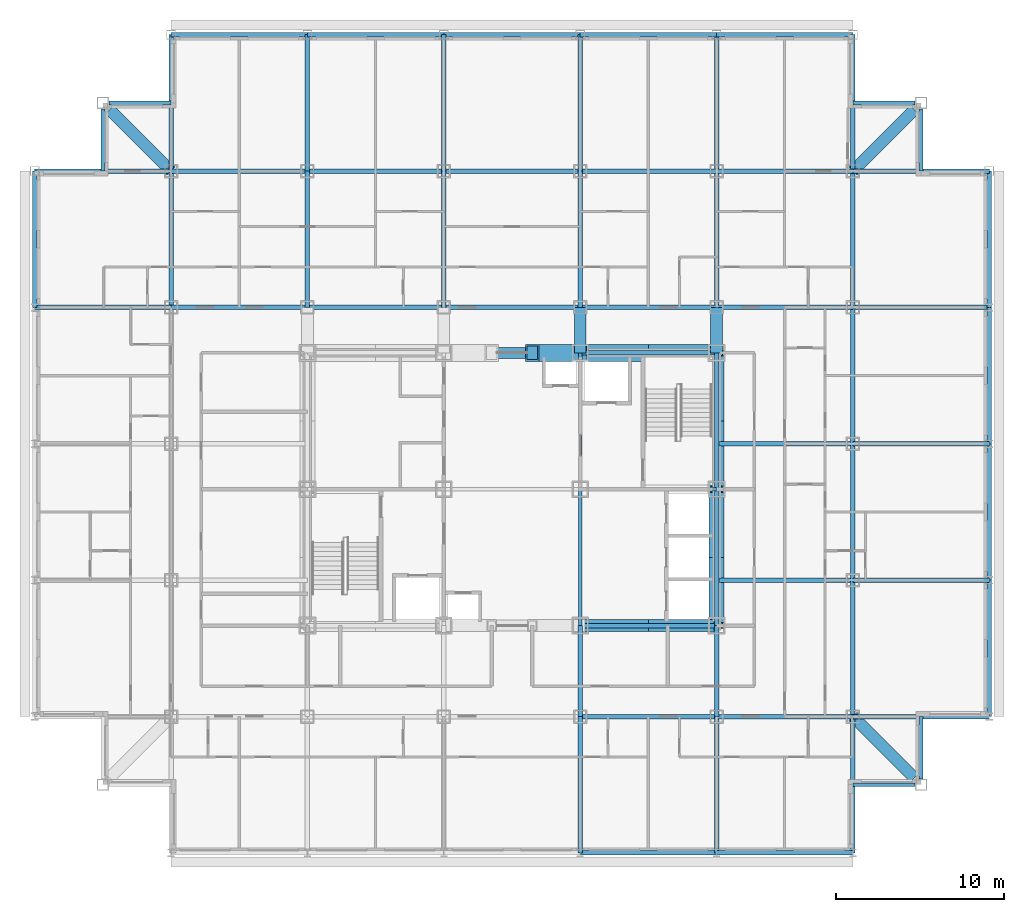
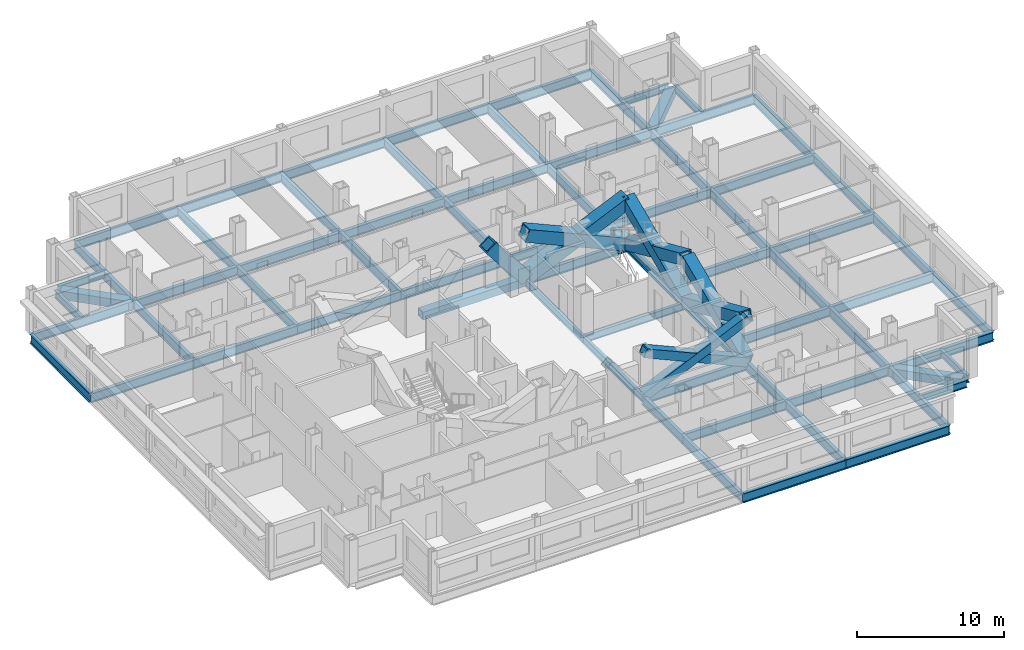
# One storey, part 2 of 12: 72 beams, 9 members.
"""IFC4 building model written with IfcOpenShell, lengths in metres."""

from ifc_helpers import new_model, si_unit, direction, frame, origin, origin_2d, place, context, subcontext, project, spatial, hollow_rectangle, i_section, extrude, material, material_profile, profile_set, type_object, element, save


model = new_model("IFC4")

# Units and contexts
model_context = context("Model", 3, precision=1e-05, world=origin(), true_north=direction((0.0, 1.0)))
body_context = subcontext(model_context, "Body", "Model", "MODEL_VIEW")
ifc_project = project(units=[si_unit("LENGTHUNIT", "METRE"), si_unit("AREAUNIT", "SQUARE_METRE"), si_unit("VOLUMEUNIT", "CUBIC_METRE"), si_unit("PLANEANGLEUNIT", "RADIAN"), si_unit("MASSUNIT", "GRAM", prefix="KILO")], contexts=[model_context])

# Site, building, storey
site_placement = place(None, origin())
site = spatial("IfcSite", under=ifc_project, at=site_placement, CompositionType="ELEMENT")
building_placement = place(site_placement, origin())
building = spatial("IfcBuilding", under=site, at=building_placement, Name="Kopane Lantern Tower", CompositionType="ELEMENT")
storey_placement = place(building_placement, frame((0.0, 0.0, 228.0)))
storey = spatial("IfcBuildingStorey", under=building, at=storey_placement, Name="L59", CompositionType="ELEMENT", Elevation=228.0)

# Members
ifc_material_1 = material(Name="Steel S355JR", Category="steel")
ifc_material_profile_1 = material_profile(ifc_material_1, hollow_rectangle(XDim=1.0, YDim=1.0, WallThickness=0.10009765625, at=origin_2d()), Name="BOX 1000x1000x100")
ifc_profile_set_1 = profile_set([ifc_material_profile_1], Name="Steel S355JR")
member_type_1 = type_object("IfcMemberType", Name="BRACE BOX 1000x1000x100", PredefinedType="BRACE", material=ifc_profile_set_1)
member_placement = place(storey_placement, frame((32.39990234375, 40.5, -0.2099609375), z_axis=(-0.620698858423, 0.0, 0.784049059149), x_axis=(0.0, -1.0, 0.0)))
element("IfcMember", 1, at=member_placement, inside=storey, type_object=member_type_1, Name="Core brace L59", PredefinedType="BRACE", context=body_context, shape_type="SweptSolid", body=[
    extrude(hollow_rectangle(XDim=1.0, YDim=1.0, WallThickness=0.10009765625, at=origin_2d()), origin(), (0.0, 0.0, 1.0), 4.59130859375),
])
for number, where, z_axis, x_axis, name in (
    (2, (32.39990234375, 40.5, -0.2099609375), (0.913819498983, 0.0, 0.406120577265), (0.0, 1.0, 0.0), "Core brace L59"),
    (3, (40.5, 40.5, -0.2099609375), (-0.913819498983, 0.0, 0.406120577265), (0.0, -1.0, 0.0), "Core brace L59"),
):
    element("IfcMember", number, at=place(storey_placement, frame(where, z_axis=z_axis, x_axis=x_axis)), inside=storey, type_object=member_type_1, Name=name, PredefinedType="BRACE", context=body_context, shape_type="SweptSolid", body=[
        extrude(hollow_rectangle(XDim=1.0, YDim=1.0, WallThickness=0.10009765625, at=origin_2d()), origin(), (0.0, 0.0, 1.0), 8.864013671875),
    ])
ifc_material_2 = material(Name="Steel S355JR", Category="steel")
ifc_material_profile_2 = material_profile(ifc_material_2, hollow_rectangle(XDim=0.699951171875, YDim=0.699951171875, WallThickness=0.06005859375, at=origin_2d()), Name="BOX 700x700x60")
ifc_profile_set_2 = profile_set([ifc_material_profile_2], Name="Steel S355JR")
member_type_2 = type_object("IfcMemberType", Name="BRACE BOX 700x700x60", PredefinedType="BRACE", material=ifc_profile_set_2)
for number, where, z_axis, x_axis, name in (
    (4, (32.39990234375, 24.300048828125, -0.2099609375), (0.913819498983, 0.0, 0.406120577265), (0.0, 1.0, 0.0), "Core brace L59"),
    (5, (40.5, 24.300048828125, -0.2099609375), (-0.913819498983, 0.0, 0.406120577265), (0.0, -1.0, 0.0), "Core brace L59"),
):
    element("IfcMember", number, at=place(storey_placement, frame(where, z_axis=z_axis, x_axis=x_axis)), inside=storey, type_object=member_type_2, Name=name, PredefinedType="BRACE", context=body_context, shape_type="SweptSolid", body=[
        extrude(hollow_rectangle(XDim=0.699951171875, YDim=0.699951171875, WallThickness=0.06005859375, at=origin_2d()), origin(), (0.0, 0.0, 1.0), 8.864013671875),
    ])
ifc_material_3 = material(Name="Steel S355JR", Category="steel")
ifc_material_profile_3 = material_profile(ifc_material_3, hollow_rectangle(XDim=0.89990234375, YDim=0.89990234375, WallThickness=0.090087890625, at=origin_2d()), Name="BOX 900x900x90")
ifc_profile_set_3 = profile_set([ifc_material_profile_3], Name="Steel S355JR")
member_type_3 = type_object("IfcMemberType", Name="BRACE BOX 900x900x90", PredefinedType="BRACE", material=ifc_profile_set_3)
for number, where, z_axis, x_axis, name in (
    (6, (40.5, 24.300048828125, -0.2099609375), (0.0, 0.913814956047, 0.406130799256), (-1.0, 0.0, 0.0), "Core brace L59"),
    (7, (40.5, 32.39990234375, -0.2099609375), (0.0, -0.913814956047, 0.406130799256), (1.0, 0.0, 0.0), "Core brace L59"),
):
    element("IfcMember", number, at=place(storey_placement, frame(where, z_axis=z_axis, x_axis=x_axis)), inside=storey, type_object=member_type_3, Name=name, PredefinedType="BRACE", context=body_context, shape_type="SweptSolid", body=[
        extrude(hollow_rectangle(XDim=0.89990234375, YDim=0.89990234375, WallThickness=0.090087890625, at=origin_2d()), origin(), (0.0, 0.0, 1.0), 8.86376953125),
    ])
for number, where, z_axis, x_axis, name in (
    (8, (40.5, 32.39990234375, -0.2099609375), (0.0, 0.913819498983, 0.406120577265), (-1.0, 0.0, 0.0), "Core brace L59"),
    (9, (40.5, 40.5, -0.2099609375), (0.0, -0.913819498983, 0.406120577265), (1.0, 0.0, 0.0), "Core brace L59"),
):
    element("IfcMember", number, at=place(storey_placement, frame(where, z_axis=z_axis, x_axis=x_axis)), inside=storey, type_object=member_type_3, Name=name, PredefinedType="BRACE", context=body_context, shape_type="SweptSolid", body=[
        extrude(hollow_rectangle(XDim=0.89990234375, YDim=0.89990234375, WallThickness=0.090087890625, at=origin_2d()), origin(), (0.0, 0.0, 1.0), 8.864013671875),
    ])

# Beams
ifc_material_4 = material(Name="Steel S355JR", Category="steel")
ifc_material_profile_4 = material_profile(ifc_material_4, i_section(OverallWidth=0.22900390625, OverallDepth=0.6123046875, WebThickness=0.011962890625, FlangeThickness=0.01953125, FilletRadius=0.0126953125, at=origin_2d()), Name="UB 610x229x125")
ifc_profile_set_4 = profile_set([ifc_material_profile_4], Name="Steel S355JR")
beam_type_1 = type_object("IfcBeamType", Name="CORE BEAM UB 610x229x125", PredefinedType="BEAM", material=ifc_profile_set_4)
beam_1_placement = place(storey_placement, frame((32.39990234375, 24.300048828125, -0.51611328125), z_axis=(0.0, 1.0, 0.0), x_axis=(-1.0, 0.0, 0.0)))
element("IfcBeam", 10, at=beam_1_placement, inside=storey, type_object=beam_type_1, Name="Core Beam L59", PredefinedType="BEAM", context=body_context, shape_type="SweptSolid", body=[
    extrude(i_section(OverallWidth=0.22900390625, OverallDepth=0.6123046875, WebThickness=0.011962890625, FlangeThickness=0.01953125, FilletRadius=0.0126953125, at=origin_2d()), origin(), (0.0, 0.0, 1.0), 8.099853515625),
])
for number, where, z_axis, x_axis, name in (
    (11, (32.39990234375, 32.39990234375, -0.51611328125), (0.0, 1.0, 0.0), (-1.0, 0.0, 0.0), "Core Beam L59"),
    (12, (32.39990234375, 32.39990234375, -0.51611328125), (1.0, 0.0, 0.0), (0.0, 1.0, 0.0), "Core Beam L59"),
):
    element("IfcBeam", number, at=place(storey_placement, frame(where, z_axis=z_axis, x_axis=x_axis)), inside=storey, type_object=beam_type_1, Name=name, PredefinedType="BEAM", context=body_context, shape_type="SweptSolid", body=[
        extrude(i_section(OverallWidth=0.22900390625, OverallDepth=0.6123046875, WebThickness=0.011962890625, FlangeThickness=0.01953125, FilletRadius=0.0126953125, at=origin_2d()), origin(), (0.0, 0.0, 1.0), 8.10009765625),
    ])
ifc_material_5 = material(Name="Steel S355JR", Category="steel")
ifc_material_profile_5 = material_profile(ifc_material_5, hollow_rectangle(XDim=0.699951171875, YDim=0.699951171875, WallThickness=0.06005859375, at=origin_2d()), Name="BOX 700x700x60")
ifc_profile_set_5 = profile_set([ifc_material_profile_5], Name="Steel S355JR")
beam_type_2 = type_object("IfcBeamType", Name="CORNER TIE BEAM BOX 700x700x60", PredefinedType="BEAM", material=ifc_profile_set_5)
for number, where, z_axis, x_axis, name in (
    (13, (4.447509765625, 54.952392578125, -0.56005859375), (0.70713041325, -0.707083148333, 0.0), (0.707083148333, 0.70713041325, 0.0), "Corner Tie Beam L59"),
    (14, (52.25244140625, 15.24755859375, -0.56005859375), (-0.707106781187, 0.707106781187, 0.0), (-0.707106781187, -0.707106781187, 0.0), "Corner Tie Beam L59"),
    (15, (52.25244140625, 54.952392578125, -0.56005859375), (-0.707106781187, -0.707106781187, 0.0), (0.707106781187, -0.707106781187, 0.0), "Corner Tie Beam L59"),
):
    element("IfcBeam", number, at=place(storey_placement, frame(where, z_axis=z_axis, x_axis=x_axis)), inside=storey, type_object=beam_type_2, Name=name, PredefinedType="BEAM", context=body_context, shape_type="SweptSolid", body=[
        extrude(hollow_rectangle(XDim=0.699951171875, YDim=0.699951171875, WallThickness=0.06005859375, at=origin_2d()), origin(), (0.0, 0.0, 1.0), 5.165283203125),
    ])
ifc_material_6 = material(Name="Steel S355JR", Category="steel")
ifc_material_profile_6 = material_profile(ifc_material_6, i_section(OverallWidth=0.22900390625, OverallDepth=0.6123046875, WebThickness=0.011962890625, FlangeThickness=0.01953125, FilletRadius=0.0126953125, at=origin_2d()), Name="UB 610x229x125")
ifc_profile_set_6 = profile_set([ifc_material_profile_6], Name="Steel S355JR")
beam_type_3 = type_object("IfcBeamType", Name="EDGE BEAM UB 610x229x125", PredefinedType="BEAM", material=ifc_profile_set_6)
beam_2_placement = place(storey_placement, frame((4.050048828125, 55.0, -0.51611328125), z_axis=(0.0, -1.0, 0.0), x_axis=(1.0, 0.0, 0.0)))
element("IfcBeam", 16, at=beam_2_placement, inside=storey, type_object=beam_type_3, Name="Edge Beam L59", PredefinedType="BEAM", context=body_context, shape_type="SweptSolid", body=[
    extrude(i_section(OverallWidth=0.22900390625, OverallDepth=0.6123046875, WebThickness=0.011962890625, FlangeThickness=0.01953125, FilletRadius=0.0126953125, at=origin_2d()), origin(), (0.0, 0.0, 1.0), 3.699951171875),
])
beam_3_placement = place(storey_placement, frame((4.39990234375, 55.35009765625, -0.51611328125), z_axis=(1.0, 0.0, 0.0), x_axis=(0.0, 1.0, 0.0)))
element("IfcBeam", 17, at=beam_3_placement, inside=storey, type_object=beam_type_3, Name="Edge Beam L59", PredefinedType="BEAM", context=body_context, shape_type="SweptSolid", body=[
    extrude(i_section(OverallWidth=0.22900390625, OverallDepth=0.6123046875, WebThickness=0.011962890625, FlangeThickness=0.01953125, FilletRadius=0.0126953125, at=origin_2d()), origin(), (0.0, 0.0, 1.0), 3.7001953125),
])
for number, where, z_axis, x_axis, name in (
    (18, (52.300048828125, 14.85009765625, -0.51611328125), (-1.0, 0.0, 0.0), (0.0, -1.0, 0.0), "Edge Beam L59"),
    (19, (52.300048828125, 55.35009765625, -0.51611328125), (-1.0, 0.0, 0.0), (0.0, -1.0, 0.0), "Edge Beam L59"),
    (20, (52.64990234375, 15.199951171875, -0.51611328125), (0.0, 1.0, 0.0), (-1.0, 0.0, 0.0), "Edge Beam L59"),
    (21, (52.64990234375, 55.0, -0.51611328125), (0.0, -1.0, 0.0), (1.0, 0.0, 0.0), "Edge Beam L59"),
):
    element("IfcBeam", number, at=place(storey_placement, frame(where, z_axis=z_axis, x_axis=x_axis)), inside=storey, type_object=beam_type_3, Name=name, PredefinedType="BEAM", context=body_context, shape_type="SweptSolid", body=[
        extrude(i_section(OverallWidth=0.22900390625, OverallDepth=0.6123046875, WebThickness=0.011962890625, FlangeThickness=0.01953125, FilletRadius=0.0126953125, at=origin_2d()), origin(), (0.0, 0.0, 1.0), 3.699951171875),
    ])
ifc_material_7 = material(Name="Steel S355JR", Category="steel")
ifc_material_profile_7 = material_profile(ifc_material_7, hollow_rectangle(XDim=0.699951171875, YDim=0.699951171875, WallThickness=0.06005859375, at=origin_2d()), Name="BOX 700x700x60")
ifc_profile_set_7 = profile_set([ifc_material_profile_7], Name="Steel S355JR")
beam_type_4 = type_object("IfcBeamType", Name="GIRDER BOX 700x700x60", PredefinedType="BEAM", material=ifc_profile_set_7)
for number, where, z_axis, x_axis, name in (
    (22, (32.39990234375, 40.5, -0.56005859375), (0.0, 1.0, 0.0), (-1.0, 0.0, 0.0), "Girder L59"),
    (23, (40.5, 40.5, -0.56005859375), (0.0, 1.0, 0.0), (-1.0, 0.0, 0.0), "Girder L59"),
):
    element("IfcBeam", number, at=place(storey_placement, frame(where, z_axis=z_axis, x_axis=x_axis)), inside=storey, type_object=beam_type_4, Name=name, PredefinedType="BEAM", context=body_context, shape_type="SweptSolid", body=[
        extrude(hollow_rectangle(XDim=0.699951171875, YDim=0.699951171875, WallThickness=0.06005859375, at=origin_2d()), origin(), (0.0, 0.0, 1.0), 2.699951171875),
    ])
ifc_material_8 = material(Name="Steel S355JR", Category="steel")
ifc_material_profile_8 = material_profile(ifc_material_8, i_section(OverallWidth=0.2666015625, OverallDepth=0.76220703125, WebThickness=0.014404296875, FlangeThickness=0.021484375, FilletRadius=0.0166015625, at=origin_2d()), Name="UB 762x267x173")
ifc_profile_set_8 = profile_set([ifc_material_profile_8], Name="Steel S355JR")
beam_type_5 = type_object("IfcBeamType", Name="GIRDER UB 762x267x173", PredefinedType="BEAM", material=ifc_profile_set_8)
for number, where, z_axis, x_axis, name in (
    (24, (0.0, 43.199951171875, -0.591064453125), (0.0, 1.0, 0.0), (-1.0, 0.0, 0.0), "Girder L59"),
    (25, (0.0, 43.199951171875, -0.591064453125), (1.0, 0.0, 0.0), (0.0, 1.0, 0.0), "Girder L59"),
    (26, (0.0, 51.300048828125, -0.591064453125), (1.0, 0.0, 0.0), (0.0, 1.0, 0.0), "Girder L59"),
    (27, (8.10009765625, 43.199951171875, -0.591064453125), (0.0, 1.0, 0.0), (-1.0, 0.0, 0.0), "Girder L59"),
):
    element("IfcBeam", number, at=place(storey_placement, frame(where, z_axis=z_axis, x_axis=x_axis)), inside=storey, type_object=beam_type_5, Name=name, PredefinedType="BEAM", context=body_context, shape_type="SweptSolid", body=[
        extrude(i_section(OverallWidth=0.2666015625, OverallDepth=0.76220703125, WebThickness=0.014404296875, FlangeThickness=0.021484375, FilletRadius=0.0166015625, at=origin_2d()), origin(), (0.0, 0.0, 1.0), 8.10009765625),
    ])
for number, where, z_axis, x_axis, name in (
    (28, (8.10009765625, 43.199951171875, -0.591064453125), (1.0, 0.0, 0.0), (0.0, 1.0, 0.0), "Girder L59"),
    (29, (8.10009765625, 51.300048828125, -0.591064453125), (0.0, 1.0, 0.0), (-1.0, 0.0, 0.0), "Girder L59"),
    (30, (8.10009765625, 51.300048828125, -0.591064453125), (1.0, 0.0, 0.0), (0.0, 1.0, 0.0), "Girder L59"),
    (31, (8.10009765625, 59.39990234375, -0.591064453125), (1.0, 0.0, 0.0), (0.0, 1.0, 0.0), "Girder L59"),
):
    element("IfcBeam", number, at=place(storey_placement, frame(where, z_axis=z_axis, x_axis=x_axis)), inside=storey, type_object=beam_type_5, Name=name, PredefinedType="BEAM", context=body_context, shape_type="SweptSolid", body=[
        extrude(i_section(OverallWidth=0.2666015625, OverallDepth=0.76220703125, WebThickness=0.014404296875, FlangeThickness=0.021484375, FilletRadius=0.0166015625, at=origin_2d()), origin(), (0.0, 0.0, 1.0), 8.099853515625),
    ])
for number, where, z_axis, x_axis, name in (
    (32, (16.199951171875, 43.199951171875, -0.591064453125), (0.0, 1.0, 0.0), (-1.0, 0.0, 0.0), "Girder L59"),
    (33, (16.199951171875, 43.199951171875, -0.591064453125), (1.0, 0.0, 0.0), (0.0, 1.0, 0.0), "Girder L59"),
):
    element("IfcBeam", number, at=place(storey_placement, frame(where, z_axis=z_axis, x_axis=x_axis)), inside=storey, type_object=beam_type_5, Name=name, PredefinedType="BEAM", context=body_context, shape_type="SweptSolid", body=[
        extrude(i_section(OverallWidth=0.2666015625, OverallDepth=0.76220703125, WebThickness=0.014404296875, FlangeThickness=0.021484375, FilletRadius=0.0166015625, at=origin_2d()), origin(), (0.0, 0.0, 1.0), 8.10009765625),
    ])
beam_4_placement = place(storey_placement, frame((16.199951171875, 51.300048828125, -0.591064453125), z_axis=(0.0, 1.0, 0.0), x_axis=(-1.0, 0.0, 0.0)))
element("IfcBeam", 34, at=beam_4_placement, inside=storey, type_object=beam_type_5, Name="Girder L59", PredefinedType="BEAM", context=body_context, shape_type="SweptSolid", body=[
    extrude(i_section(OverallWidth=0.2666015625, OverallDepth=0.76220703125, WebThickness=0.014404296875, FlangeThickness=0.021484375, FilletRadius=0.0166015625, at=origin_2d()), origin(), (0.0, 0.0, 1.0), 8.099853515625),
])
for number, where, z_axis, x_axis, name in (
    (35, (16.199951171875, 51.300048828125, -0.591064453125), (1.0, 0.0, 0.0), (0.0, 1.0, 0.0), "Girder L59"),
    (36, (16.199951171875, 59.39990234375, -0.591064453125), (1.0, 0.0, 0.0), (0.0, 1.0, 0.0), "Girder L59"),
    (37, (24.300048828125, 43.199951171875, -0.591064453125), (0.0, 1.0, 0.0), (-1.0, 0.0, 0.0), "Girder L59"),
):
    element("IfcBeam", number, at=place(storey_placement, frame(where, z_axis=z_axis, x_axis=x_axis)), inside=storey, type_object=beam_type_5, Name=name, PredefinedType="BEAM", context=body_context, shape_type="SweptSolid", body=[
        extrude(i_section(OverallWidth=0.2666015625, OverallDepth=0.76220703125, WebThickness=0.014404296875, FlangeThickness=0.021484375, FilletRadius=0.0166015625, at=origin_2d()), origin(), (0.0, 0.0, 1.0), 8.10009765625),
    ])
for number, where, z_axis, x_axis, name in (
    (38, (24.300048828125, 43.199951171875, -0.591064453125), (1.0, 0.0, 0.0), (0.0, 1.0, 0.0), "Girder L59"),
    (39, (24.300048828125, 51.300048828125, -0.591064453125), (0.0, 1.0, 0.0), (-1.0, 0.0, 0.0), "Girder L59"),
    (40, (24.300048828125, 51.300048828125, -0.591064453125), (1.0, 0.0, 0.0), (0.0, 1.0, 0.0), "Girder L59"),
    (41, (24.300048828125, 59.39990234375, -0.591064453125), (1.0, 0.0, 0.0), (0.0, 1.0, 0.0), "Girder L59"),
    (42, (32.39990234375, 10.800048828125, -0.591064453125), (0.0, 1.0, 0.0), (-1.0, 0.0, 0.0), "Girder L59"),
):
    element("IfcBeam", number, at=place(storey_placement, frame(where, z_axis=z_axis, x_axis=x_axis)), inside=storey, type_object=beam_type_5, Name=name, PredefinedType="BEAM", context=body_context, shape_type="SweptSolid", body=[
        extrude(i_section(OverallWidth=0.2666015625, OverallDepth=0.76220703125, WebThickness=0.014404296875, FlangeThickness=0.021484375, FilletRadius=0.0166015625, at=origin_2d()), origin(), (0.0, 0.0, 1.0), 8.099853515625),
    ])
beam_5_placement = place(storey_placement, frame((32.39990234375, 10.800048828125, -0.591064453125), z_axis=(1.0, 0.0, 0.0), x_axis=(0.0, 1.0, 0.0)))
element("IfcBeam", 43, at=beam_5_placement, inside=storey, type_object=beam_type_5, Name="Girder L59", PredefinedType="BEAM", context=body_context, shape_type="SweptSolid", body=[
    extrude(i_section(OverallWidth=0.2666015625, OverallDepth=0.76220703125, WebThickness=0.014404296875, FlangeThickness=0.021484375, FilletRadius=0.0166015625, at=origin_2d()), origin(), (0.0, 0.0, 1.0), 8.10009765625),
])
beam_6_placement = place(storey_placement, frame((32.39990234375, 18.89990234375, -0.591064453125), z_axis=(0.0, 1.0, 0.0), x_axis=(-1.0, 0.0, 0.0)))
element("IfcBeam", 44, at=beam_6_placement, inside=storey, type_object=beam_type_5, Name="Girder L59", PredefinedType="BEAM", context=body_context, shape_type="SweptSolid", body=[
    extrude(i_section(OverallWidth=0.2666015625, OverallDepth=0.76220703125, WebThickness=0.014404296875, FlangeThickness=0.021484375, FilletRadius=0.0166015625, at=origin_2d()), origin(), (0.0, 0.0, 1.0), 5.400146484375),
])
for number, where, z_axis, x_axis, name in (
    (45, (32.39990234375, 18.89990234375, -0.591064453125), (1.0, 0.0, 0.0), (0.0, 1.0, 0.0), "Girder L59"),
    (46, (32.39990234375, 24.300048828125, -0.591064453125), (1.0, 0.0, 0.0), (0.0, 1.0, 0.0), "Girder L59"),
    (47, (32.39990234375, 40.5, -0.591064453125), (1.0, 0.0, 0.0), (0.0, 1.0, 0.0), "Girder L59"),
    (48, (32.39990234375, 43.199951171875, -0.591064453125), (0.0, 1.0, 0.0), (-1.0, 0.0, 0.0), "Girder L59"),
    (49, (32.39990234375, 43.199951171875, -0.591064453125), (1.0, 0.0, 0.0), (0.0, 1.0, 0.0), "Girder L59"),
):
    element("IfcBeam", number, at=place(storey_placement, frame(where, z_axis=z_axis, x_axis=x_axis)), inside=storey, type_object=beam_type_5, Name=name, PredefinedType="BEAM", context=body_context, shape_type="SweptSolid", body=[
        extrude(i_section(OverallWidth=0.2666015625, OverallDepth=0.76220703125, WebThickness=0.014404296875, FlangeThickness=0.021484375, FilletRadius=0.0166015625, at=origin_2d()), origin(), (0.0, 0.0, 1.0), 8.10009765625),
    ])
beam_7_placement = place(storey_placement, frame((32.39990234375, 51.300048828125, -0.591064453125), z_axis=(0.0, 1.0, 0.0), x_axis=(-1.0, 0.0, 0.0)))
element("IfcBeam", 50, at=beam_7_placement, inside=storey, type_object=beam_type_5, Name="Girder L59", PredefinedType="BEAM", context=body_context, shape_type="SweptSolid", body=[
    extrude(i_section(OverallWidth=0.2666015625, OverallDepth=0.76220703125, WebThickness=0.014404296875, FlangeThickness=0.021484375, FilletRadius=0.0166015625, at=origin_2d()), origin(), (0.0, 0.0, 1.0), 8.099853515625),
])
for number, where, z_axis, x_axis, name in (
    (51, (32.39990234375, 51.300048828125, -0.591064453125), (1.0, 0.0, 0.0), (0.0, 1.0, 0.0), "Girder L59"),
    (52, (32.39990234375, 59.39990234375, -0.591064453125), (1.0, 0.0, 0.0), (0.0, 1.0, 0.0), "Girder L59"),
):
    element("IfcBeam", number, at=place(storey_placement, frame(where, z_axis=z_axis, x_axis=x_axis)), inside=storey, type_object=beam_type_5, Name=name, PredefinedType="BEAM", context=body_context, shape_type="SweptSolid", body=[
        extrude(i_section(OverallWidth=0.2666015625, OverallDepth=0.76220703125, WebThickness=0.014404296875, FlangeThickness=0.021484375, FilletRadius=0.0166015625, at=origin_2d()), origin(), (0.0, 0.0, 1.0), 8.10009765625),
    ])
beam_8_placement = place(storey_placement, frame((40.5, 10.800048828125, -0.591064453125), z_axis=(0.0, 1.0, 0.0), x_axis=(-1.0, 0.0, 0.0)))
element("IfcBeam", 53, at=beam_8_placement, inside=storey, type_object=beam_type_5, Name="Girder L59", PredefinedType="BEAM", context=body_context, shape_type="SweptSolid", body=[
    extrude(i_section(OverallWidth=0.2666015625, OverallDepth=0.76220703125, WebThickness=0.014404296875, FlangeThickness=0.021484375, FilletRadius=0.0166015625, at=origin_2d()), origin(), (0.0, 0.0, 1.0), 8.099853515625),
])
beam_9_placement = place(storey_placement, frame((40.5, 10.800048828125, -0.591064453125), z_axis=(1.0, 0.0, 0.0), x_axis=(0.0, 1.0, 0.0)))
element("IfcBeam", 54, at=beam_9_placement, inside=storey, type_object=beam_type_5, Name="Girder L59", PredefinedType="BEAM", context=body_context, shape_type="SweptSolid", body=[
    extrude(i_section(OverallWidth=0.2666015625, OverallDepth=0.76220703125, WebThickness=0.014404296875, FlangeThickness=0.021484375, FilletRadius=0.0166015625, at=origin_2d()), origin(), (0.0, 0.0, 1.0), 8.10009765625),
])
beam_10_placement = place(storey_placement, frame((40.5, 18.89990234375, -0.591064453125), z_axis=(0.0, 1.0, 0.0), x_axis=(-1.0, 0.0, 0.0)))
element("IfcBeam", 55, at=beam_10_placement, inside=storey, type_object=beam_type_5, Name="Girder L59", PredefinedType="BEAM", context=body_context, shape_type="SweptSolid", body=[
    extrude(i_section(OverallWidth=0.2666015625, OverallDepth=0.76220703125, WebThickness=0.014404296875, FlangeThickness=0.021484375, FilletRadius=0.0166015625, at=origin_2d()), origin(), (0.0, 0.0, 1.0), 5.400146484375),
])
beam_11_placement = place(storey_placement, frame((40.5, 18.89990234375, -0.591064453125), z_axis=(1.0, 0.0, 0.0), x_axis=(0.0, 1.0, 0.0)))
element("IfcBeam", 56, at=beam_11_placement, inside=storey, type_object=beam_type_5, Name="Girder L59", PredefinedType="BEAM", context=body_context, shape_type="SweptSolid", body=[
    extrude(i_section(OverallWidth=0.2666015625, OverallDepth=0.76220703125, WebThickness=0.014404296875, FlangeThickness=0.021484375, FilletRadius=0.0166015625, at=origin_2d()), origin(), (0.0, 0.0, 1.0), 8.10009765625),
])
beam_12_placement = place(storey_placement, frame((40.5, 24.300048828125, -0.591064453125), z_axis=(0.0, 1.0, 0.0), x_axis=(-1.0, 0.0, 0.0)))
element("IfcBeam", 57, at=beam_12_placement, inside=storey, type_object=beam_type_5, Name="Girder L59", PredefinedType="BEAM", context=body_context, shape_type="SweptSolid", body=[
    extrude(i_section(OverallWidth=0.2666015625, OverallDepth=0.76220703125, WebThickness=0.014404296875, FlangeThickness=0.021484375, FilletRadius=0.0166015625, at=origin_2d()), origin(), (0.0, 0.0, 1.0), 8.099853515625),
])
for number, where, z_axis, x_axis, name in (
    (58, (40.5, 27.0, -0.591064453125), (1.0, 0.0, 0.0), (0.0, 1.0, 0.0), "Girder L59"),
    (59, (40.5, 32.39990234375, -0.591064453125), (0.0, 1.0, 0.0), (-1.0, 0.0, 0.0), "Girder L59"),
    (60, (40.5, 35.10009765625, -0.591064453125), (1.0, 0.0, 0.0), (0.0, 1.0, 0.0), "Girder L59"),
    (61, (40.5, 43.199951171875, -0.591064453125), (0.0, 1.0, 0.0), (-1.0, 0.0, 0.0), "Girder L59"),
    (62, (40.5, 43.199951171875, -0.591064453125), (1.0, 0.0, 0.0), (0.0, 1.0, 0.0), "Girder L59"),
):
    element("IfcBeam", number, at=place(storey_placement, frame(where, z_axis=z_axis, x_axis=x_axis)), inside=storey, type_object=beam_type_5, Name=name, PredefinedType="BEAM", context=body_context, shape_type="SweptSolid", body=[
        extrude(i_section(OverallWidth=0.2666015625, OverallDepth=0.76220703125, WebThickness=0.014404296875, FlangeThickness=0.021484375, FilletRadius=0.0166015625, at=origin_2d()), origin(), (0.0, 0.0, 1.0), 8.10009765625),
    ])
beam_13_placement = place(storey_placement, frame((40.5, 51.300048828125, -0.591064453125), z_axis=(0.0, 1.0, 0.0), x_axis=(-1.0, 0.0, 0.0)))
element("IfcBeam", 63, at=beam_13_placement, inside=storey, type_object=beam_type_5, Name="Girder L59", PredefinedType="BEAM", context=body_context, shape_type="SweptSolid", body=[
    extrude(i_section(OverallWidth=0.2666015625, OverallDepth=0.76220703125, WebThickness=0.014404296875, FlangeThickness=0.021484375, FilletRadius=0.0166015625, at=origin_2d()), origin(), (0.0, 0.0, 1.0), 8.099853515625),
])
for number, where, z_axis, x_axis, name in (
    (64, (40.5, 51.300048828125, -0.591064453125), (1.0, 0.0, 0.0), (0.0, 1.0, 0.0), "Girder L59"),
    (65, (40.5, 59.39990234375, -0.591064453125), (1.0, 0.0, 0.0), (0.0, 1.0, 0.0), "Girder L59"),
):
    element("IfcBeam", number, at=place(storey_placement, frame(where, z_axis=z_axis, x_axis=x_axis)), inside=storey, type_object=beam_type_5, Name=name, PredefinedType="BEAM", context=body_context, shape_type="SweptSolid", body=[
        extrude(i_section(OverallWidth=0.2666015625, OverallDepth=0.76220703125, WebThickness=0.014404296875, FlangeThickness=0.021484375, FilletRadius=0.0166015625, at=origin_2d()), origin(), (0.0, 0.0, 1.0), 8.10009765625),
    ])
beam_14_placement = place(storey_placement, frame((48.60009765625, 10.800048828125, -0.591064453125), z_axis=(0.0, 1.0, 0.0), x_axis=(-1.0, 0.0, 0.0)))
element("IfcBeam", 66, at=beam_14_placement, inside=storey, type_object=beam_type_5, Name="Girder L59", PredefinedType="BEAM", context=body_context, shape_type="SweptSolid", body=[
    extrude(i_section(OverallWidth=0.2666015625, OverallDepth=0.76220703125, WebThickness=0.014404296875, FlangeThickness=0.021484375, FilletRadius=0.0166015625, at=origin_2d()), origin(), (0.0, 0.0, 1.0), 8.099853515625),
])
beam_15_placement = place(storey_placement, frame((48.60009765625, 18.89990234375, -0.591064453125), z_axis=(0.0, 1.0, 0.0), x_axis=(-1.0, 0.0, 0.0)))
element("IfcBeam", 67, at=beam_15_placement, inside=storey, type_object=beam_type_5, Name="Girder L59", PredefinedType="BEAM", context=body_context, shape_type="SweptSolid", body=[
    extrude(i_section(OverallWidth=0.2666015625, OverallDepth=0.76220703125, WebThickness=0.014404296875, FlangeThickness=0.021484375, FilletRadius=0.0166015625, at=origin_2d()), origin(), (0.0, 0.0, 1.0), 8.10009765625),
])
beam_16_placement = place(storey_placement, frame((48.60009765625, 18.89990234375, -0.591064453125), z_axis=(1.0, 0.0, 0.0), x_axis=(0.0, 1.0, 0.0)))
element("IfcBeam", 68, at=beam_16_placement, inside=storey, type_object=beam_type_5, Name="Girder L59", PredefinedType="BEAM", context=body_context, shape_type="SweptSolid", body=[
    extrude(i_section(OverallWidth=0.2666015625, OverallDepth=0.76220703125, WebThickness=0.014404296875, FlangeThickness=0.021484375, FilletRadius=0.0166015625, at=origin_2d()), origin(), (0.0, 0.0, 1.0), 8.099853515625),
])
beam_17_placement = place(storey_placement, frame((48.60009765625, 27.0, -0.591064453125), z_axis=(0.0, 1.0, 0.0), x_axis=(-1.0, 0.0, 0.0)))
element("IfcBeam", 69, at=beam_17_placement, inside=storey, type_object=beam_type_5, Name="Girder L59", PredefinedType="BEAM", context=body_context, shape_type="SweptSolid", body=[
    extrude(i_section(OverallWidth=0.2666015625, OverallDepth=0.76220703125, WebThickness=0.014404296875, FlangeThickness=0.021484375, FilletRadius=0.0166015625, at=origin_2d()), origin(), (0.0, 0.0, 1.0), 8.10009765625),
])
for number, where, z_axis, x_axis, name in (
    (70, (48.60009765625, 27.0, -0.591064453125), (1.0, 0.0, 0.0), (0.0, 1.0, 0.0), "Girder L59"),
    (71, (48.60009765625, 35.10009765625, -0.591064453125), (0.0, 1.0, 0.0), (-1.0, 0.0, 0.0), "Girder L59"),
    (72, (48.60009765625, 35.10009765625, -0.591064453125), (1.0, 0.0, 0.0), (0.0, 1.0, 0.0), "Girder L59"),
):
    element("IfcBeam", number, at=place(storey_placement, frame(where, z_axis=z_axis, x_axis=x_axis)), inside=storey, type_object=beam_type_5, Name=name, PredefinedType="BEAM", context=body_context, shape_type="SweptSolid", body=[
        extrude(i_section(OverallWidth=0.2666015625, OverallDepth=0.76220703125, WebThickness=0.014404296875, FlangeThickness=0.021484375, FilletRadius=0.0166015625, at=origin_2d()), origin(), (0.0, 0.0, 1.0), 8.099853515625),
    ])
beam_18_placement = place(storey_placement, frame((48.60009765625, 43.199951171875, -0.591064453125), z_axis=(0.0, 1.0, 0.0), x_axis=(-1.0, 0.0, 0.0)))
element("IfcBeam", 73, at=beam_18_placement, inside=storey, type_object=beam_type_5, Name="Girder L59", PredefinedType="BEAM", context=body_context, shape_type="SweptSolid", body=[
    extrude(i_section(OverallWidth=0.2666015625, OverallDepth=0.76220703125, WebThickness=0.014404296875, FlangeThickness=0.021484375, FilletRadius=0.0166015625, at=origin_2d()), origin(), (0.0, 0.0, 1.0), 8.10009765625),
])
for number, where, z_axis, x_axis, name in (
    (74, (48.60009765625, 43.199951171875, -0.591064453125), (1.0, 0.0, 0.0), (0.0, 1.0, 0.0), "Girder L59"),
    (75, (48.60009765625, 51.300048828125, -0.591064453125), (0.0, 1.0, 0.0), (-1.0, 0.0, 0.0), "Girder L59"),
    (76, (48.60009765625, 51.300048828125, -0.591064453125), (1.0, 0.0, 0.0), (0.0, 1.0, 0.0), "Girder L59"),
):
    element("IfcBeam", number, at=place(storey_placement, frame(where, z_axis=z_axis, x_axis=x_axis)), inside=storey, type_object=beam_type_5, Name=name, PredefinedType="BEAM", context=body_context, shape_type="SweptSolid", body=[
        extrude(i_section(OverallWidth=0.2666015625, OverallDepth=0.76220703125, WebThickness=0.014404296875, FlangeThickness=0.021484375, FilletRadius=0.0166015625, at=origin_2d()), origin(), (0.0, 0.0, 1.0), 8.099853515625),
    ])
for number, where, z_axis, x_axis, name in (
    (77, (56.699951171875, 18.89990234375, -0.591064453125), (0.0, 1.0, 0.0), (-1.0, 0.0, 0.0), "Girder L59"),
    (78, (56.699951171875, 27.0, -0.591064453125), (0.0, 1.0, 0.0), (-1.0, 0.0, 0.0), "Girder L59"),
):
    element("IfcBeam", number, at=place(storey_placement, frame(where, z_axis=z_axis, x_axis=x_axis)), inside=storey, type_object=beam_type_5, Name=name, PredefinedType="BEAM", context=body_context, shape_type="SweptSolid", body=[
        extrude(i_section(OverallWidth=0.2666015625, OverallDepth=0.76220703125, WebThickness=0.014404296875, FlangeThickness=0.021484375, FilletRadius=0.0166015625, at=origin_2d()), origin(), (0.0, 0.0, 1.0), 8.10009765625),
    ])
beam_19_placement = place(storey_placement, frame((56.699951171875, 35.10009765625, -0.591064453125), z_axis=(0.0, 1.0, 0.0), x_axis=(-1.0, 0.0, 0.0)))
element("IfcBeam", 79, at=beam_19_placement, inside=storey, type_object=beam_type_5, Name="Girder L59", PredefinedType="BEAM", context=body_context, shape_type="SweptSolid", body=[
    extrude(i_section(OverallWidth=0.2666015625, OverallDepth=0.76220703125, WebThickness=0.014404296875, FlangeThickness=0.021484375, FilletRadius=0.0166015625, at=origin_2d()), origin(), (0.0, 0.0, 1.0), 8.099853515625),
])
beam_20_placement = place(storey_placement, frame((56.699951171875, 43.199951171875, -0.591064453125), z_axis=(0.0, 1.0, 0.0), x_axis=(-1.0, 0.0, 0.0)))
element("IfcBeam", 80, at=beam_20_placement, inside=storey, type_object=beam_type_5, Name="Girder L59", PredefinedType="BEAM", context=body_context, shape_type="SweptSolid", body=[
    extrude(i_section(OverallWidth=0.2666015625, OverallDepth=0.76220703125, WebThickness=0.014404296875, FlangeThickness=0.021484375, FilletRadius=0.0166015625, at=origin_2d()), origin(), (0.0, 0.0, 1.0), 8.10009765625),
])
ifc_material_9 = material(Name="Steel S355JR", Category="steel")
ifc_material_profile_9 = material_profile(ifc_material_9, hollow_rectangle(XDim=0.64990234375, YDim=0.64990234375, WallThickness=0.070068359375, at=origin_2d()), Name="BOX 650x650x70")
ifc_profile_set_9 = profile_set([ifc_material_profile_9], Name="Steel S355JR")
beam_type_6 = type_object("IfcBeamType", Name="LINK BEAM BOX 650x650x70", PredefinedType="BEAM", material=ifc_profile_set_9)
beam_21_placement = place(storey_placement, frame((24.300048828125, 40.5, -0.534912109375), z_axis=(1.0, 0.0, 0.0), x_axis=(0.0, 1.0, 0.0)))
element("IfcBeam", 81, at=beam_21_placement, inside=storey, type_object=beam_type_6, Name="Link Beam L59", PredefinedType="BEAM", context=body_context, shape_type="SweptSolid", body=[
    extrude(hollow_rectangle(XDim=0.64990234375, YDim=0.64990234375, WallThickness=0.070068359375, at=origin_2d()), origin(), (0.0, 0.0, 1.0), 8.099853515625),
])

save(model, "model.ifc")
